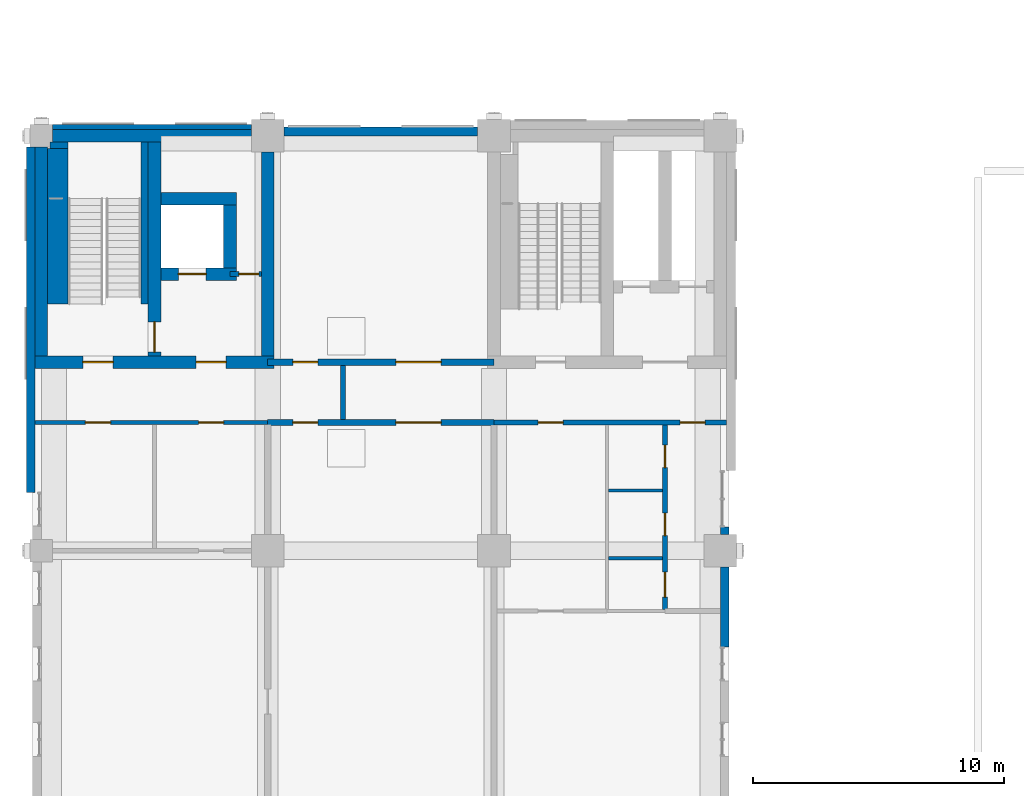
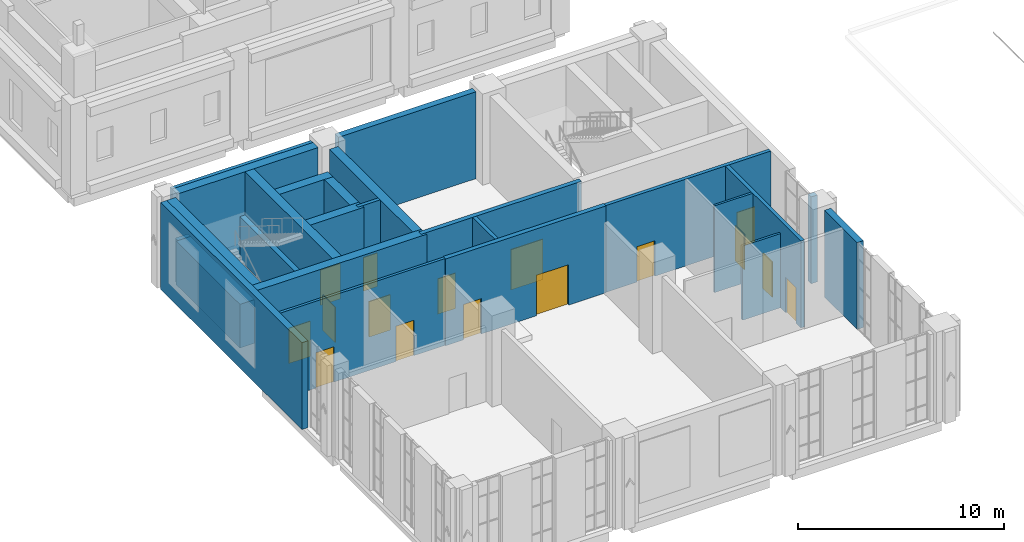
# One storey, part 17 of 37: 25 walls, 16 doors, 16 openings.
"""IFC4 building model written with IfcOpenShell, lengths in metres."""

from ifc_helpers import new_model, si_unit, direction, frame, frame_2d, origin, place, context, subcontext, project, spatial, rectangle, extrude, material, layer, layer_set, type_object, element, fill, save


model = new_model("IFC4")

# Units and contexts
model_context = context("Model", 3, precision=1e-05, world=origin(), true_north=direction((0.0, 1.0)))
body_context = subcontext(model_context, "Body", "Model", "MODEL_VIEW")
ifc_project = project(units=[si_unit("LENGTHUNIT", "METRE"), si_unit("AREAUNIT", "SQUARE_METRE"), si_unit("VOLUMEUNIT", "CUBIC_METRE"), si_unit("PLANEANGLEUNIT", "RADIAN"), si_unit("MASSUNIT", "GRAM", prefix="KILO")], contexts=[model_context])

# Site, building, storey
site_placement = place(None, origin())
site = spatial("IfcSite", under=ifc_project, at=site_placement, CompositionType="ELEMENT")
building_placement = place(site_placement, origin())
building = spatial("IfcBuilding", under=site, at=building_placement, Name="Aurelan Courthouse", CompositionType="ELEMENT")
storey_placement = place(building_placement, frame((0.0, 0.0, 17.39990234375)))
storey = spatial("IfcBuildingStorey", under=building, at=storey_placement, Name="L03", CompositionType="ELEMENT", Elevation=17.39990234375)

# Wall, openings, doors
ifc_material_1 = material(Name="Gypsum board on metal studs")
ifc_layer_1 = layer(ifc_material_1, 0.14990234375)
ifc_layer_set_1 = layer_set([ifc_layer_1], Name="Gypsum board on metal studs")
wall_type_1 = type_object("IfcWallType", Name="Corridor partition 150 EI 60", PredefinedType="PARTITIONING", material=ifc_layer_set_1)
wall_1_placement = place(storey_placement, frame((-0.25, 17.10009765625, 0.0), z_axis=(0.0, 0.0, 1.0), x_axis=(1.0, 0.0, 0.0)))
wall_1 = element("IfcWall", 1, at=wall_1_placement, inside=storey, type_object=wall_type_1, Name="Corridor partition L03-007", PredefinedType="PARTITIONING", context=body_context, shape_type="SweptSolid", body=[
    extrude(rectangle(XDim=9.25, YDim=0.14990234375, at=frame_2d((4.625, 0.0))), origin(), (0.0, 0.0, 1.0), 5.150146484375),
])
opening_1_placement = place(wall_1_placement, frame((3.0, 0.0, 0.0), z_axis=(0.0, 0.0, 1.0), x_axis=(-1.0, 0.0, 0.0)))
opening_1 = element("IfcOpeningElement", 2, at=opening_1_placement, cuts=wall_1, Name="Opening D-L03-061", PredefinedType="OPENING", context=body_context, shape_type="SweptSolid", body=[
    extrude(rectangle(XDim=1.0, YDim=2.10009765625, at=frame_2d((0.5, 1.050048828125))), frame((0.0, 0.0849609375, 0.0), z_axis=(0.0, -1.0, 0.0), x_axis=(1.0, 0.0, 0.0)), (0.0, 0.0, 1.0), 0.169921875),
])
opening_2_placement = place(wall_1_placement, frame((7.5, 0.0, 0.0), z_axis=(0.0, 0.0, 1.0), x_axis=(-1.0, 0.0, 0.0)))
opening_2 = element("IfcOpeningElement", 3, at=opening_2_placement, cuts=wall_1, Name="Opening D-L03-062", PredefinedType="OPENING", context=body_context, shape_type="SweptSolid", body=[
    extrude(rectangle(XDim=1.0, YDim=2.10009765625, at=frame_2d((0.5, 1.050048828125))), frame((0.0, 0.0849609375, 0.0), z_axis=(0.0, -1.0, 0.0), x_axis=(1.0, 0.0, 0.0)), (0.0, 0.0, 1.0), 0.169921875),
])
ifc_material_2 = material(Name="Steel", Category="steel")
door_type_1 = type_object("IfcDoorType", Name="Single door 1000 x 2100 FD60", OperationType="SINGLE_SWING_LEFT", PredefinedType="DOOR", material=ifc_material_2)
door_1_placement = place(opening_1_placement, origin())
door_1 = element("IfcDoor", 4, at=door_1_placement, inside=storey, type_object=door_type_1, Name="Single door D-L03-061", OperationType="SINGLE_SWING_LEFT", OverallHeight=2.10009765625, OverallWidth=1.0, PredefinedType="DOOR", context=body_context, shape_type="SweptSolid", body=[
    extrude(rectangle(XDim=1.0, YDim=2.10009765625, at=frame_2d((0.5, 1.050048828125))), frame((0.0, 0.02490234375, 0.0), z_axis=(0.0, -1.0, 0.0), x_axis=(1.0, 0.0, 0.0)), (0.0, 0.0, 1.0), 0.050048828125),
])
fill(opening_1, door_1)
door_2_placement = place(opening_2_placement, origin())
door_2 = element("IfcDoor", 5, at=door_2_placement, inside=storey, type_object=door_type_1, Name="Single door D-L03-062", OperationType="SINGLE_SWING_RIGHT", OverallHeight=2.10009765625, OverallWidth=1.0, PredefinedType="DOOR", context=body_context, shape_type="SweptSolid", body=[
    extrude(rectangle(XDim=1.0, YDim=2.10009765625, at=frame_2d((0.5, 1.050048828125))), frame((0.0, 0.02490234375, 0.0), z_axis=(0.0, -1.0, 0.0), x_axis=(1.0, 0.0, 0.0)), (0.0, 0.0, 1.0), 0.050048828125),
])
fill(opening_2, door_2)

ifc_material_3 = material(Name="Masonry block", Category="masonry")
ifc_layer_2 = layer(ifc_material_3, 0.25)
ifc_layer_set_2 = layer_set([ifc_layer_2], Name="Masonry block")
wall_type_2 = type_object("IfcWallType", Name="Courtroom wall 250 EI 60", PredefinedType="PARTITIONING", material=ifc_layer_set_2)
wall_2_placement = place(storey_placement, frame((9.0, 17.10009765625, 0.0), z_axis=(0.0, 0.0, 1.0), x_axis=(1.0, 0.0, 0.0)))
wall_2 = element("IfcWall", 6, at=wall_2_placement, inside=storey, type_object=wall_type_2, Name="Courtroom wall L03-008", PredefinedType="PARTITIONING", context=body_context, shape_type="SweptSolid", body=[
    extrude(rectangle(XDim=9.0, YDim=0.25, at=frame_2d((4.5, 0.0))), origin(), (0.0, 0.0, 1.0), 5.150146484375),
])
opening_3_placement = place(wall_2_placement, frame((6.900146484375, 0.0, 0.0), z_axis=(0.0, 0.0, 1.0), x_axis=(-1.0, 0.0, 0.0)))
opening_3 = element("IfcOpeningElement", 7, at=opening_3_placement, cuts=wall_2, Name="Opening D-L03-057", PredefinedType="OPENING", context=body_context, shape_type="SweptSolid", body=[
    extrude(rectangle(XDim=1.800048828125, YDim=2.39990234375, at=frame_2d((0.89990234375, 1.199951171875))), frame((0.0, 0.135009765625, 0.0), z_axis=(0.0, -1.0, 0.0), x_axis=(1.0, 0.0, 0.0)), (0.0, 0.0, 1.0), 0.27001953125),
])
opening_4_placement = place(wall_2_placement, frame((2.0, 0.0, 0.0), z_axis=(0.0, 0.0, 1.0), x_axis=(-1.0, 0.0, 0.0)))
opening_4 = element("IfcOpeningElement", 8, at=opening_4_placement, cuts=wall_2, Name="Opening D-L03-058", PredefinedType="OPENING", context=body_context, shape_type="SweptSolid", body=[
    extrude(rectangle(XDim=1.0, YDim=2.10009765625, at=frame_2d((0.5, 1.050048828125))), frame((0.0, 0.135009765625, 0.0), z_axis=(0.0, -1.0, 0.0), x_axis=(1.0, 0.0, 0.0)), (0.0, 0.0, 1.0), 0.27001953125),
])
door_type_2 = type_object("IfcDoorType", Name="Double door 1800 x 2400 FD30", OperationType="DOUBLE_DOOR_SINGLE_SWING", PredefinedType="DOOR", material=ifc_material_2)
door_3_placement = place(opening_3_placement, origin())
door_3 = element("IfcDoor", 9, at=door_3_placement, inside=storey, type_object=door_type_2, Name="Double door D-L03-057", OperationType="DOUBLE_DOOR_SINGLE_SWING", OverallHeight=2.39990234375, OverallWidth=1.800048828125, PredefinedType="DOOR", context=body_context, shape_type="SweptSolid", body=[
    extrude(rectangle(XDim=1.800048828125, YDim=2.39990234375, at=frame_2d((0.89990234375, 1.199951171875))), frame((0.0, 0.02490234375, 0.0), z_axis=(0.0, -1.0, 0.0), x_axis=(1.0, 0.0, 0.0)), (0.0, 0.0, 1.0), 0.050048828125),
])
fill(opening_3, door_3)
door_type_3 = type_object("IfcDoorType", Name="Single door 1000 x 2100 FD30", OperationType="SINGLE_SWING_LEFT", PredefinedType="DOOR", material=ifc_material_2)
door_4_placement = place(opening_4_placement, origin())
door_4 = element("IfcDoor", 10, at=door_4_placement, inside=storey, type_object=door_type_3, Name="Single door D-L03-058", OperationType="SINGLE_SWING_RIGHT", OverallHeight=2.10009765625, OverallWidth=1.0, PredefinedType="DOOR", context=body_context, shape_type="SweptSolid", body=[
    extrude(rectangle(XDim=1.0, YDim=2.10009765625, at=frame_2d((0.5, 1.050048828125))), frame((0.0, 0.02490234375, 0.0), z_axis=(0.0, -1.0, 0.0), x_axis=(1.0, 0.0, 0.0)), (0.0, 0.0, 1.0), 0.050048828125),
])
fill(opening_4, door_4)

wall_3_placement = place(storey_placement, frame((9.0, 19.5, 0.0), z_axis=(0.0, 0.0, 1.0), x_axis=(1.0, 0.0, 0.0)))
wall_3 = element("IfcWall", 11, at=wall_3_placement, inside=storey, type_object=wall_type_2, Name="Courtroom wall L03-010", PredefinedType="PARTITIONING", context=body_context, shape_type="SweptSolid", body=[
    extrude(rectangle(XDim=9.0, YDim=0.25, at=frame_2d((4.5, 0.0))), origin(), (0.0, 0.0, 1.0), 5.150146484375),
])
opening_5_placement = place(wall_3_placement, frame((5.10009765625, 0.0, 0.0)))
opening_5 = element("IfcOpeningElement", 12, at=opening_5_placement, cuts=wall_3, Name="Opening D-L03-059", PredefinedType="OPENING", context=body_context, shape_type="SweptSolid", body=[
    extrude(rectangle(XDim=1.800048828125, YDim=2.39990234375, at=frame_2d((0.89990234375, 1.199951171875))), frame((0.0, 0.135009765625, 0.0), z_axis=(0.0, -1.0, 0.0), x_axis=(1.0, 0.0, 0.0)), (0.0, 0.0, 1.0), 0.27001953125),
])
opening_6_placement = place(wall_3_placement, frame((1.0, 0.0, 0.0)))
opening_6 = element("IfcOpeningElement", 13, at=opening_6_placement, cuts=wall_3, Name="Opening D-L03-060", PredefinedType="OPENING", context=body_context, shape_type="SweptSolid", body=[
    extrude(rectangle(XDim=1.0, YDim=2.10009765625, at=frame_2d((0.5, 1.050048828125))), frame((0.0, 0.135009765625, 0.0), z_axis=(0.0, -1.0, 0.0), x_axis=(1.0, 0.0, 0.0)), (0.0, 0.0, 1.0), 0.27001953125),
])
door_5_placement = place(opening_5_placement, origin())
door_5 = element("IfcDoor", 14, at=door_5_placement, inside=storey, type_object=door_type_2, Name="Double door D-L03-059", OperationType="DOUBLE_DOOR_SINGLE_SWING", OverallHeight=2.39990234375, OverallWidth=1.800048828125, PredefinedType="DOOR", context=body_context, shape_type="SweptSolid", body=[
    extrude(rectangle(XDim=1.800048828125, YDim=2.39990234375, at=frame_2d((0.89990234375, 1.199951171875))), frame((0.0, 0.02490234375, 0.0), z_axis=(0.0, -1.0, 0.0), x_axis=(1.0, 0.0, 0.0)), (0.0, 0.0, 1.0), 0.050048828125),
])
fill(opening_5, door_5)
door_6_placement = place(opening_6_placement, origin())
door_6 = element("IfcDoor", 15, at=door_6_placement, inside=storey, type_object=door_type_3, Name="Single door D-L03-060", OperationType="SINGLE_SWING_LEFT", OverallHeight=2.10009765625, OverallWidth=1.0, PredefinedType="DOOR", context=body_context, shape_type="SweptSolid", body=[
    extrude(rectangle(XDim=1.0, YDim=2.10009765625, at=frame_2d((0.5, 1.050048828125))), frame((0.0, 0.02490234375, 0.0), z_axis=(0.0, -1.0, 0.0), x_axis=(1.0, 0.0, 0.0)), (0.0, 0.0, 1.0), 0.050048828125),
])
fill(opening_6, door_6)

# Walls
ifc_material_4 = material(Name="Limestone cladding", Category="masonry")
ifc_layer_3 = layer(ifc_material_4, 0.054931640625, Name="Facing")
ifc_material_5 = material(Name="Ventilated cavity")
ifc_layer_4 = layer(ifc_material_5, 0.02490234375, ventilated=True, Name="Ventilated cavity")
ifc_material_6 = material(Name="Mineral wool insulation")
ifc_layer_5 = layer(ifc_material_6, 0.030029296875, Name="Insulation")
ifc_material_7 = material(Name="Concrete C30", Category="concrete")
ifc_layer_6 = layer(ifc_material_7, 0.090087890625, Name="Structure")
ifc_layer_set_3 = layer_set([ifc_layer_3, ifc_layer_4, ifc_layer_5, ifc_layer_6], Name="Concrete C30")
wall_type_3 = type_object("IfcWallType", Name="Courts' Floors stone-faced wall 200", PredefinedType="SOLIDWALL", material=ifc_layer_set_3)
wall_4_placement = place(storey_placement, frame((0.449951171875, 28.85009765625, 0.0), z_axis=(0.0, 0.0, 1.0), x_axis=(1.0, 0.0, 0.0)))
element("IfcWall", 16, at=wall_4_placement, inside=storey, type_object=wall_type_3, Name="Facade wall FW-V5-L03-010", PredefinedType="SOLIDWALL", context=body_context, shape_type="SweptSolid", body=[
    extrude(rectangle(XDim=7.900146484375, YDim=0.199951171875, at=frame_2d((3.9501953125, 0.0))), origin(), (0.0, 0.0, 1.0), 5.150146484375),
])
ifc_layer_7 = layer(ifc_material_4, 0.10009765625, Name="Facing")
ifc_layer_8 = layer(ifc_material_5, 0.02490234375, ventilated=True, Name="Ventilated cavity")
ifc_layer_9 = layer(ifc_material_6, 0.050048828125, Name="Insulation")
ifc_layer_10 = layer(ifc_material_7, 0.175048828125, Name="Structure")
ifc_layer_set_4 = layer_set([ifc_layer_7, ifc_layer_8, ifc_layer_9, ifc_layer_10], Name="Concrete C30")
wall_type_4 = type_object("IfcWallType", Name="Courts' Floors stone-faced wall 350", PredefinedType="SOLIDWALL", material=ifc_layer_set_4)
wall_5_placement = place(storey_placement, frame((9.64990234375, 28.675048828125, 0.0), z_axis=(0.0, 0.0, 1.0), x_axis=(1.0, 0.0, 0.0)))
element("IfcWall", 17, at=wall_5_placement, inside=storey, type_object=wall_type_4, Name="Facade wall FW-V5-L03-011", PredefinedType="SOLIDWALL", context=body_context, shape_type="SweptSolid", body=[
    extrude(rectangle(XDim=7.7001953125, YDim=0.35009765625, at=frame_2d((3.85009765625, 0.0))), origin(), (0.0, 0.0, 1.0), 5.150146484375),
])
wall_6_placement = place(storey_placement, frame((27.175048828125, 8.175048828125, 0.0), z_axis=(0.0, 0.0, 1.0), x_axis=(0.0, 1.0, 0.0)))
element("IfcWall", 18, at=wall_6_placement, inside=storey, type_object=wall_type_4, Name="Facade wall FW-V5-L03-016", PredefinedType="SOLIDWALL", context=body_context, shape_type="SweptSolid", body=[
    extrude(rectangle(XDim=3.175048828125, YDim=0.35009765625, at=frame_2d((1.58740234375, 0.0))), origin(), (0.0, 0.0, 1.0), 5.150146484375),
])
wall_7_placement = place(storey_placement, frame((27.175048828125, 12.64990234375, 0.0), z_axis=(0.0, 0.0, 1.0), x_axis=(0.0, 1.0, 0.0)))
element("IfcWall", 19, at=wall_7_placement, inside=storey, type_object=wall_type_4, Name="Facade wall FW-V5-L03-017", PredefinedType="SOLIDWALL", context=body_context, shape_type="SweptSolid", body=[
    extrude(rectangle(XDim=0.28759765625, YDim=0.35009765625, at=frame_2d((0.143798828125, 0.0))), origin(), (0.0, 0.0, 1.0), 5.150146484375),
])
wall_8_placement = place(storey_placement, frame((-0.425048828125, 14.324951171875, 0.0), z_axis=(0.0, 0.0, 1.0), x_axis=(0.0, 1.0, 0.0)))
element("IfcWall", 20, at=wall_8_placement, inside=storey, type_object=wall_type_4, Name="Facade wall FW-V5-L03-025", PredefinedType="SOLIDWALL", context=body_context, shape_type="SweptSolid", body=[
    extrude(rectangle(XDim=13.72509765625, YDim=0.35009765625, at=frame_2d((6.862548828125, 0.0))), origin(), (0.0, 0.0, 1.0), 5.150146484375),
])

# Wall, openings, doors
ifc_layer_11 = layer(ifc_material_3, 0.199951171875)
ifc_layer_set_5 = layer_set([ifc_layer_11], Name="Masonry block")
wall_type_5 = type_object("IfcWallType", Name="Lift lobby wall 200 EI 60", PredefinedType="PARTITIONING", material=ifc_layer_set_5)
wall_9_placement = place(storey_placement, frame((18.0, 17.10009765625, 0.0), z_axis=(0.0, 0.0, 1.0), x_axis=(1.0, 0.0, 0.0)))
wall_9 = element("IfcWall", 21, at=wall_9_placement, inside=storey, type_object=wall_type_5, Name="Lift lobby wall L03-009", PredefinedType="PARTITIONING", context=body_context, shape_type="SweptSolid", body=[
    extrude(rectangle(XDim=9.25, YDim=0.199951171875, at=frame_2d((4.625, 0.0))), origin(), (0.0, 0.0, 1.0), 5.150146484375),
])
opening_7_placement = place(wall_9_placement, frame((2.75, 0.0, 0.0), z_axis=(0.0, 0.0, 1.0), x_axis=(-1.0, 0.0, 0.0)))
opening_7 = element("IfcOpeningElement", 22, at=opening_7_placement, cuts=wall_9, Name="Opening D-L03-065", PredefinedType="OPENING", context=body_context, shape_type="SweptSolid", body=[
    extrude(rectangle(XDim=1.0, YDim=2.10009765625, at=frame_2d((0.5, 1.050048828125))), frame((0.0, 0.10986328125, 0.0), z_axis=(0.0, -1.0, 0.0), x_axis=(1.0, 0.0, 0.0)), (0.0, 0.0, 1.0), 0.219970703125),
])
opening_8_placement = place(wall_9_placement, frame((7.39990234375, 0.0, 0.0)))
opening_8 = element("IfcOpeningElement", 23, at=opening_8_placement, cuts=wall_9, Name="Opening D-L03-066", PredefinedType="OPENING", context=body_context, shape_type="SweptSolid", body=[
    extrude(rectangle(XDim=1.0, YDim=2.10009765625, at=frame_2d((0.5, 1.050048828125))), frame((0.0, 0.10986328125, 0.0), z_axis=(0.0, -1.0, 0.0), x_axis=(1.0, 0.0, 0.0)), (0.0, 0.0, 1.0), 0.219970703125),
])
door_7_placement = place(opening_7_placement, origin())
door_7 = element("IfcDoor", 24, at=door_7_placement, inside=storey, type_object=door_type_1, Name="Single door D-L03-065", OperationType="SINGLE_SWING_LEFT", OverallHeight=2.10009765625, OverallWidth=1.0, PredefinedType="DOOR", context=body_context, shape_type="SweptSolid", body=[
    extrude(rectangle(XDim=1.0, YDim=2.10009765625, at=frame_2d((0.5, 1.050048828125))), frame((0.0, 0.02490234375, 0.0), z_axis=(0.0, -1.0, 0.0), x_axis=(1.0, 0.0, 0.0)), (0.0, 0.0, 1.0), 0.050048828125),
])
fill(opening_7, door_7)
door_8_placement = place(opening_8_placement, origin())
door_8 = element("IfcDoor", 25, at=door_8_placement, inside=storey, type_object=door_type_1, Name="Single door D-L03-066", OperationType="SINGLE_SWING_RIGHT", OverallHeight=2.10009765625, OverallWidth=1.0, PredefinedType="DOOR", context=body_context, shape_type="SweptSolid", body=[
    extrude(rectangle(XDim=1.0, YDim=2.10009765625, at=frame_2d((0.5, 1.050048828125))), frame((0.0, 0.02490234375, 0.0), z_axis=(0.0, -1.0, 0.0), x_axis=(1.0, 0.0, 0.0)), (0.0, 0.0, 1.0), 0.050048828125),
])
fill(opening_8, door_8)

# Wall
wall_10_placement = place(storey_placement, frame((12.0, 17.22509765625, 0.0), z_axis=(0.0, 0.0, 1.0), x_axis=(0.0, 1.0, 0.0)))
element("IfcWall", 26, at=wall_10_placement, inside=storey, type_object=wall_type_5, Name="Lift lobby wall L03-059", PredefinedType="PARTITIONING", context=body_context, shape_type="SweptSolid", body=[
    extrude(rectangle(XDim=2.14990234375, YDim=0.199951171875, at=frame_2d((1.074951171875, 0.0))), origin(), (0.0, 0.0, 1.0), 5.150146484375),
])

# Wall, openings, doors
wall_11_placement = place(storey_placement, frame((24.800048828125, 9.66259765625, 0.0), z_axis=(0.0, 0.0, 1.0), x_axis=(0.0, 1.0, 0.0)))
wall_11 = element("IfcWall", 27, at=wall_11_placement, inside=storey, type_object=wall_type_5, Name="Lift lobby wall L03-064", PredefinedType="PARTITIONING", context=body_context, shape_type="SweptSolid", body=[
    extrude(rectangle(XDim=7.33740234375, YDim=0.199951171875, at=frame_2d((3.668701171875, 0.0))), origin(), (0.0, 0.0, 1.0), 5.150146484375),
])
opening_9_placement = place(wall_11_placement, frame((5.637451171875, 0.0, 0.0)))
opening_9 = element("IfcOpeningElement", 28, at=opening_9_placement, cuts=wall_11, Name="Opening D-L03-068", PredefinedType="OPENING", context=body_context, shape_type="SweptSolid", body=[
    extrude(rectangle(XDim=0.89990234375, YDim=2.10009765625, at=frame_2d((0.449951171875, 1.050048828125))), frame((0.0, 0.10986328125, 0.0), z_axis=(0.0, -1.0, 0.0), x_axis=(1.0, 0.0, 0.0)), (0.0, 0.0, 1.0), 0.219970703125),
])
opening_10_placement = place(wall_11_placement, frame((2.9375, 0.0, 0.0)))
opening_10 = element("IfcOpeningElement", 29, at=opening_10_placement, cuts=wall_11, Name="Opening D-L03-069", PredefinedType="OPENING", context=body_context, shape_type="SweptSolid", body=[
    extrude(rectangle(XDim=0.89990234375, YDim=2.10009765625, at=frame_2d((0.449951171875, 1.050048828125))), frame((0.0, 0.10986328125, 0.0), z_axis=(0.0, -1.0, 0.0), x_axis=(1.0, 0.0, 0.0)), (0.0, 0.0, 1.0), 0.219970703125),
])
opening_11_placement = place(wall_11_placement, frame((0.487548828125, 0.0, 0.0)))
opening_11 = element("IfcOpeningElement", 30, at=opening_11_placement, cuts=wall_11, Name="Opening D-L03-070", PredefinedType="OPENING", context=body_context, shape_type="SweptSolid", body=[
    extrude(rectangle(XDim=1.0, YDim=2.10009765625, at=frame_2d((0.5, 1.050048828125))), frame((0.0, 0.10986328125, 0.0), z_axis=(0.0, -1.0, 0.0), x_axis=(1.0, 0.0, 0.0)), (0.0, 0.0, 1.0), 0.219970703125),
])
door_9_placement = place(opening_11_placement, origin())
door_9 = element("IfcDoor", 31, at=door_9_placement, inside=storey, type_object=door_type_1, Name="Single door D-L03-070", OperationType="SINGLE_SWING_LEFT", OverallHeight=2.10009765625, OverallWidth=1.0, PredefinedType="DOOR", context=body_context, shape_type="SweptSolid", body=[
    extrude(rectangle(XDim=1.0, YDim=2.10009765625, at=frame_2d((0.5, 1.050048828125))), frame((0.0, 0.02490234375, 0.0), z_axis=(0.0, -1.0, 0.0), x_axis=(1.0, 0.0, 0.0)), (0.0, 0.0, 1.0), 0.050048828125),
])
fill(opening_11, door_9)
door_type_4 = type_object("IfcDoorType", Name="Single door 900 x 2100 FD60", OperationType="SINGLE_SWING_LEFT", PredefinedType="DOOR", material=ifc_material_2)
door_10_placement = place(opening_9_placement, origin())
door_10 = element("IfcDoor", 32, at=door_10_placement, inside=storey, type_object=door_type_4, Name="Single door D-L03-068", OperationType="SINGLE_SWING_LEFT", OverallHeight=2.10009765625, OverallWidth=0.89990234375, PredefinedType="DOOR", context=body_context, shape_type="SweptSolid", body=[
    extrude(rectangle(XDim=0.89990234375, YDim=2.10009765625, at=frame_2d((0.449951171875, 1.050048828125))), frame((0.0, 0.02490234375, 0.0), z_axis=(0.0, -1.0, 0.0), x_axis=(1.0, 0.0, 0.0)), (0.0, 0.0, 1.0), 0.050048828125),
])
fill(opening_9, door_10)
door_11_placement = place(opening_10_placement, origin())
door_11 = element("IfcDoor", 33, at=door_11_placement, inside=storey, type_object=door_type_4, Name="Single door D-L03-069", OperationType="SINGLE_SWING_RIGHT", OverallHeight=2.10009765625, OverallWidth=0.89990234375, PredefinedType="DOOR", context=body_context, shape_type="SweptSolid", body=[
    extrude(rectangle(XDim=0.89990234375, YDim=2.10009765625, at=frame_2d((0.449951171875, 1.050048828125))), frame((0.0, 0.02490234375, 0.0), z_axis=(0.0, -1.0, 0.0), x_axis=(1.0, 0.0, 0.0)), (0.0, 0.0, 1.0), 0.050048828125),
])
fill(opening_10, door_11)

ifc_material_8 = material(Name="Concrete C50", Category="concrete")
ifc_layer_12 = layer(ifc_material_8, 0.5)
ifc_layer_set_6 = layer_set([ifc_layer_12], Name="Concrete C50")
wall_type_6 = type_object("IfcWallType", Name="RC shear wall 500", PredefinedType="SHEAR", material=ifc_layer_set_6)
wall_12_placement = place(storey_placement, frame((-0.25, 19.5, 0.0), z_axis=(0.0, 0.0, 1.0), x_axis=(1.0, 0.0, 0.0)))
wall_12 = element("IfcWall", 34, at=wall_12_placement, inside=storey, type_object=wall_type_6, Name="Core wall SW-L03-001", PredefinedType="SHEAR", context=body_context, shape_type="SweptSolid", body=[
    extrude(rectangle(XDim=9.5, YDim=0.5, at=frame_2d((4.75, 0.0))), origin(), (0.0, 0.0, 1.0), 5.150146484375),
])
opening_12_placement = place(wall_12_placement, frame((1.89990234375, 0.0, 0.0)))
opening_12 = element("IfcOpeningElement", 35, at=opening_12_placement, cuts=wall_12, Name="Opening D-L03-048", PredefinedType="OPENING", context=body_context, shape_type="SweptSolid", body=[
    extrude(rectangle(XDim=1.199951171875, YDim=2.10009765625, at=frame_2d((0.60009765625, 1.050048828125))), frame((0.0, 0.260009765625, 0.0), z_axis=(0.0, -1.0, 0.0), x_axis=(1.0, 0.0, 0.0)), (0.0, 0.0, 1.0), 0.52001953125),
])
opening_13_placement = place(wall_12_placement, frame((6.39990234375, 0.0, 0.0)))
opening_13 = element("IfcOpeningElement", 36, at=opening_13_placement, cuts=wall_12, Name="Opening D-L03-050", PredefinedType="OPENING", context=body_context, shape_type="SweptSolid", body=[
    extrude(rectangle(XDim=1.199951171875, YDim=2.10009765625, at=frame_2d((0.60009765625, 1.050048828125))), frame((0.0, 0.260009765625, 0.0), z_axis=(0.0, -1.0, 0.0), x_axis=(1.0, 0.0, 0.0)), (0.0, 0.0, 1.0), 0.52001953125),
])
door_type_5 = type_object("IfcDoorType", Name="Single door 1200 x 2100 FD90", OperationType="SINGLE_SWING_LEFT", PredefinedType="DOOR", material=ifc_material_2)
door_12_placement = place(opening_12_placement, origin())
door_12 = element("IfcDoor", 37, at=door_12_placement, inside=storey, type_object=door_type_5, Name="Single door D-L03-048", OperationType="SINGLE_SWING_LEFT", OverallHeight=2.10009765625, OverallWidth=1.199951171875, PredefinedType="DOOR", context=body_context, shape_type="SweptSolid", body=[
    extrude(rectangle(XDim=1.199951171875, YDim=2.10009765625, at=frame_2d((0.60009765625, 1.050048828125))), frame((0.0, 0.02490234375, 0.0), z_axis=(0.0, -1.0, 0.0), x_axis=(1.0, 0.0, 0.0)), (0.0, 0.0, 1.0), 0.050048828125),
])
fill(opening_12, door_12)
door_13_placement = place(opening_13_placement, origin())
door_13 = element("IfcDoor", 38, at=door_13_placement, inside=storey, type_object=door_type_5, Name="Single door D-L03-050", OperationType="SINGLE_SWING_LEFT", OverallHeight=2.10009765625, OverallWidth=1.199951171875, PredefinedType="DOOR", context=body_context, shape_type="SweptSolid", body=[
    extrude(rectangle(XDim=1.199951171875, YDim=2.10009765625, at=frame_2d((0.60009765625, 1.050048828125))), frame((0.0, 0.02490234375, 0.0), z_axis=(0.0, -1.0, 0.0), x_axis=(1.0, 0.0, 0.0)), (0.0, 0.0, 1.0), 0.050048828125),
])
fill(opening_13, door_13)

# Wall
wall_13_placement = place(storey_placement, frame((0.0, 19.75, 0.0), z_axis=(0.0, 0.0, 1.0), x_axis=(0.0, 1.0, 0.0)))
element("IfcWall", 39, at=wall_13_placement, inside=storey, type_object=wall_type_6, Name="Core wall SW-L03-003", PredefinedType="SHEAR", context=body_context, shape_type="SweptSolid", body=[
    extrude(rectangle(XDim=8.300048828125, YDim=0.5, at=frame_2d((4.14990234375, 0.0))), origin(), (0.0, 0.0, 1.0), 5.150146484375),
])

# Wall, opening, door
wall_14_placement = place(storey_placement, frame((4.5, 19.75, 0.0), z_axis=(0.0, 0.0, 1.0), x_axis=(0.0, 1.0, 0.0)))
wall_14 = element("IfcWall", 40, at=wall_14_placement, inside=storey, type_object=wall_type_6, Name="Core wall SW-L03-004", PredefinedType="SHEAR", context=body_context, shape_type="SweptSolid", body=[
    extrude(rectangle(XDim=8.5, YDim=0.5, at=frame_2d((4.25, 0.0))), origin(), (0.0, 0.0, 1.0), 5.150146484375),
])
opening_14_placement = place(wall_14_placement, frame((0.14990234375, 0.0, 0.0)))
opening_14 = element("IfcOpeningElement", 41, at=opening_14_placement, cuts=wall_14, Name="Opening D-L03-049", PredefinedType="OPENING", context=body_context, shape_type="SweptSolid", body=[
    extrude(rectangle(XDim=1.199951171875, YDim=2.10009765625, at=frame_2d((0.60009765625, 1.050048828125))), frame((0.0, 0.260009765625, 0.0), z_axis=(0.0, -1.0, 0.0), x_axis=(1.0, 0.0, 0.0)), (0.0, 0.0, 1.0), 0.52001953125),
])
door_14_placement = place(opening_14_placement, origin())
door_14 = element("IfcDoor", 42, at=door_14_placement, inside=storey, type_object=door_type_5, Name="Single door D-L03-049", OperationType="SINGLE_SWING_LEFT", OverallHeight=2.10009765625, OverallWidth=1.199951171875, PredefinedType="DOOR", context=body_context, shape_type="SweptSolid", body=[
    extrude(rectangle(XDim=1.199951171875, YDim=2.10009765625, at=frame_2d((0.60009765625, 1.050048828125))), frame((0.0, 0.02490234375, 0.0), z_axis=(0.0, -1.0, 0.0), x_axis=(1.0, 0.0, 0.0)), (0.0, 0.0, 1.0), 0.050048828125),
])
fill(opening_14, door_14)

# Wall
wall_15_placement = place(storey_placement, frame((9.0, 19.75, 0.0), z_axis=(0.0, 0.0, 1.0), x_axis=(0.0, 1.0, 0.0)))
element("IfcWall", 43, at=wall_15_placement, inside=storey, type_object=wall_type_6, Name="Core wall SW-L03-005", PredefinedType="SHEAR", context=body_context, shape_type="SweptSolid", body=[
    extrude(rectangle(XDim=8.10009765625, YDim=0.5, at=frame_2d((4.050048828125, 0.0))), origin(), (0.0, 0.0, 1.0), 5.150146484375),
])

# Wall, opening, door
wall_16_placement = place(storey_placement, frame((4.75, 23.0, 0.0), z_axis=(0.0, 0.0, 1.0), x_axis=(1.0, 0.0, 0.0)))
wall_16 = element("IfcWall", 44, at=wall_16_placement, inside=storey, type_object=wall_type_6, Name="Core wall SW-L03-011", PredefinedType="SHEAR", context=body_context, shape_type="SweptSolid", body=[
    extrude(rectangle(XDim=3.0, YDim=0.5, at=frame_2d((1.5, 0.0))), origin(), (0.0, 0.0, 1.0), 5.150146484375),
])
opening_15_placement = place(wall_16_placement, frame((0.699951171875, 0.0, 0.0)))
opening_15 = element("IfcOpeningElement", 45, at=opening_15_placement, cuts=wall_16, Name="Opening LD-V5-F1-L03", PredefinedType="OPENING", context=body_context, shape_type="SweptSolid", body=[
    extrude(rectangle(XDim=1.10009765625, YDim=2.10009765625, at=frame_2d((0.550048828125, 1.050048828125))), frame((0.0, 0.260009765625, 0.0), z_axis=(0.0, -1.0, 0.0), x_axis=(1.0, 0.0, 0.0)), (0.0, 0.0, 1.0), 0.52001953125),
])
door_type_6 = type_object("IfcDoorType", Name="Lift landing door 1100 x 2100 FD90", OperationType="SLIDING_TO_LEFT", PredefinedType="DOOR", material=ifc_material_2)
door_15_placement = place(opening_15_placement, origin())
door_15 = element("IfcDoor", 46, at=door_15_placement, inside=storey, type_object=door_type_6, Name="Lift landing door LD-V5-F1-L03", OperationType="SLIDING_TO_LEFT", OverallHeight=2.10009765625, OverallWidth=1.10009765625, PredefinedType="DOOR", context=body_context, shape_type="SweptSolid", body=[
    extrude(rectangle(XDim=1.10009765625, YDim=2.10009765625, at=frame_2d((0.550048828125, 1.050048828125))), frame((0.0, 0.02490234375, 0.0), z_axis=(0.0, -1.0, 0.0), x_axis=(1.0, 0.0, 0.0)), (0.0, 0.0, 1.0), 0.050048828125),
])
fill(opening_15, door_15)

# Walls
wall_17_placement = place(storey_placement, frame((7.5, 23.25, 0.0), z_axis=(0.0, 0.0, 1.0), x_axis=(0.0, 1.0, 0.0)))
element("IfcWall", 47, at=wall_17_placement, inside=storey, type_object=wall_type_6, Name="Core wall SW-L03-012", PredefinedType="SHEAR", context=body_context, shape_type="SweptSolid", body=[
    extrude(rectangle(XDim=2.5, YDim=0.5, at=frame_2d((1.25, 0.0))), origin(), (0.0, 0.0, 1.0), 5.150146484375),
])
wall_18_placement = place(storey_placement, frame((4.75, 26.0, 0.0), z_axis=(0.0, 0.0, 1.0), x_axis=(1.0, 0.0, 0.0)))
element("IfcWall", 48, at=wall_18_placement, inside=storey, type_object=wall_type_6, Name="Core wall SW-L03-013", PredefinedType="SHEAR", context=body_context, shape_type="SweptSolid", body=[
    extrude(rectangle(XDim=3.0, YDim=0.5, at=frame_2d((1.5, 0.0))), origin(), (0.0, 0.0, 1.0), 5.150146484375),
])
wall_19_placement = place(storey_placement, frame((0.449951171875, 28.5, 0.0), z_axis=(0.0, 0.0, 1.0), x_axis=(1.0, 0.0, 0.0)))
element("IfcWall", 49, at=wall_19_placement, inside=storey, type_object=wall_type_6, Name="Core wall SW-L03-014", PredefinedType="SHEAR", context=body_context, shape_type="SweptSolid", body=[
    extrude(rectangle(XDim=7.900146484375, YDim=0.5, at=frame_2d((3.9501953125, 0.0))), origin(), (0.0, 0.0, 1.0), 5.150146484375),
])

# Wall, opening, door
ifc_layer_13 = layer(ifc_material_7, 0.199951171875)
ifc_layer_set_7 = layer_set([ifc_layer_13], Name="Concrete C30")
wall_type_7 = type_object("IfcWallType", Name="Shaft wall 200 EI 120 load-bearing", PredefinedType="SHEAR", material=ifc_layer_set_7)
wall_20_placement = place(storey_placement, frame((7.5, 23.0, 0.0), z_axis=(0.0, 0.0, 1.0), x_axis=(1.0, 0.0, 0.0)))
wall_20 = element("IfcWall", 50, at=wall_20_placement, inside=storey, type_object=wall_type_7, Name="Shaft wall L03-011", PredefinedType="SHEAR", context=body_context, shape_type="SweptSolid", body=[
    extrude(rectangle(XDim=1.25, YDim=0.199951171875, at=frame_2d((0.625, 0.0))), origin(), (0.0, 0.0, 1.0), 5.150146484375),
])
opening_16_placement = place(wall_20_placement, frame((1.150146484375, 0.0, 0.0), z_axis=(0.0, 0.0, 1.0), x_axis=(-1.0, 0.0, 0.0)))
opening_16 = element("IfcOpeningElement", 51, at=opening_16_placement, cuts=wall_20, Name="Opening D-L03-052", PredefinedType="OPENING", context=body_context, shape_type="SweptSolid", body=[
    extrude(rectangle(XDim=0.800048828125, YDim=2.0, at=frame_2d((0.39990234375, 1.0))), frame((0.0, 0.10986328125, 0.0), z_axis=(0.0, -1.0, 0.0), x_axis=(1.0, 0.0, 0.0)), (0.0, 0.0, 1.0), 0.219970703125),
])
door_type_7 = type_object("IfcDoorType", Name="Single door 800 x 2000 FD90", OperationType="SINGLE_SWING_LEFT", PredefinedType="DOOR", material=ifc_material_2)
door_16_placement = place(opening_16_placement, origin())
door_16 = element("IfcDoor", 52, at=door_16_placement, inside=storey, type_object=door_type_7, Name="Single door D-L03-052", OperationType="SINGLE_SWING_LEFT", OverallHeight=2.0, OverallWidth=0.800048828125, PredefinedType="DOOR", context=body_context, shape_type="SweptSolid", body=[
    extrude(rectangle(XDim=0.800048828125, YDim=2.0, at=frame_2d((0.39990234375, 1.0))), frame((0.0, 0.02490234375, 0.0), z_axis=(0.0, -1.0, 0.0), x_axis=(1.0, 0.0, 0.0)), (0.0, 0.0, 1.0), 0.050048828125),
])
fill(opening_16, door_16)

# Walls
ifc_layer_14 = layer(ifc_material_7, 0.2900390625)
ifc_layer_set_8 = layer_set([ifc_layer_14], Name="Concrete C30")
wall_type_8 = type_object("IfcWallType", Name="Stair well wall 290 EI 120 load-bearing", PredefinedType="SHEAR", material=ifc_layer_set_8)
wall_21_placement = place(storey_placement, frame((4.10498046875, 21.81005859375, 0.0), z_axis=(0.0, 0.0, 1.0), x_axis=(0.0, 1.0, 0.0)))
element("IfcWall", 53, at=wall_21_placement, inside=storey, type_object=wall_type_8, Name="Stair well wall ST-5B-L03 B", PredefinedType="SHEAR", context=body_context, shape_type="SweptSolid", body=[
    extrude(rectangle(XDim=6.43994140625, YDim=0.2900390625, at=frame_2d((3.219970703125, 0.0))), origin(), (0.0, 0.0, 1.0), 2.587158203125),
])
ifc_layer_15 = layer(ifc_material_7, 0.7099609375)
ifc_layer_set_9 = layer_set([ifc_layer_15], Name="Concrete C30")
wall_type_9 = type_object("IfcWallType", Name="Stair well wall 710 EI 120 load-bearing", PredefinedType="SHEAR", material=ifc_layer_set_9)
wall_22_placement = place(storey_placement, frame((0.705078125, 28.0, 0.0), z_axis=(0.0, 0.0, 1.0), x_axis=(0.0, 1.0, 0.0)))
element("IfcWall", 54, at=wall_22_placement, inside=storey, type_object=wall_type_9, Name="Stair well wall ST-5B-L03 A2", PredefinedType="SHEAR", context=body_context, shape_type="SweptSolid", body=[
    extrude(rectangle(XDim=0.25, YDim=0.7099609375, at=frame_2d((0.125, 0.0))), origin(), (0.0, 0.0, 1.0), 2.587158203125),
])
ifc_layer_16 = layer(ifc_material_7, 0.81005859375)
ifc_layer_set_10 = layer_set([ifc_layer_16], Name="Concrete C30")
wall_type_10 = type_object("IfcWallType", Name="Stair well wall 810 EI 120 load-bearing", PredefinedType="SHEAR", material=ifc_layer_set_10)
wall_23_placement = place(storey_placement, frame((0.655029296875, 21.81005859375, 0.0), z_axis=(0.0, 0.0, 1.0), x_axis=(0.0, 1.0, 0.0)))
element("IfcWall", 55, at=wall_23_placement, inside=storey, type_object=wall_type_10, Name="Stair well wall ST-5B-L03 A", PredefinedType="SHEAR", context=body_context, shape_type="SweptSolid", body=[
    extrude(rectangle(XDim=6.18994140625, YDim=0.81005859375, at=frame_2d((3.094970703125, 0.0))), origin(), (0.0, 0.0, 1.0), 2.587158203125),
])
ifc_material_9 = material(Name="Moisture-resistant board on metal studs")
ifc_layer_17 = layer(ifc_material_9, 0.125)
ifc_layer_set_11 = layer_set([ifc_layer_17], Name="Moisture-resistant board on metal studs")
wall_type_11 = type_object("IfcWallType", Name="Wet-area partition 125 NOT RATED", PredefinedType="PARTITIONING", material=ifc_layer_set_11)
wall_24_placement = place(storey_placement, frame((22.5625, 11.699951171875, 0.0), z_axis=(0.0, 0.0, 1.0), x_axis=(1.0, 0.0, 0.0)))
element("IfcWall", 56, at=wall_24_placement, inside=storey, type_object=wall_type_11, Name="Wet-area partition L03-004", PredefinedType="PARTITIONING", context=body_context, shape_type="SweptSolid", body=[
    extrude(rectangle(XDim=2.137451171875, YDim=0.125, at=frame_2d((1.06884765625, 0.0))), origin(), (0.0, 0.0, 1.0), 4.400146484375),
])
wall_25_placement = place(storey_placement, frame((22.5625, 14.39990234375, 0.0), z_axis=(0.0, 0.0, 1.0), x_axis=(1.0, 0.0, 0.0)))
element("IfcWall", 57, at=wall_25_placement, inside=storey, type_object=wall_type_11, Name="Wet-area partition L03-006", PredefinedType="PARTITIONING", context=body_context, shape_type="SweptSolid", body=[
    extrude(rectangle(XDim=2.137451171875, YDim=0.125, at=frame_2d((1.06884765625, 0.0))), origin(), (0.0, 0.0, 1.0), 5.150146484375),
])

save(model, "model.ifc")
